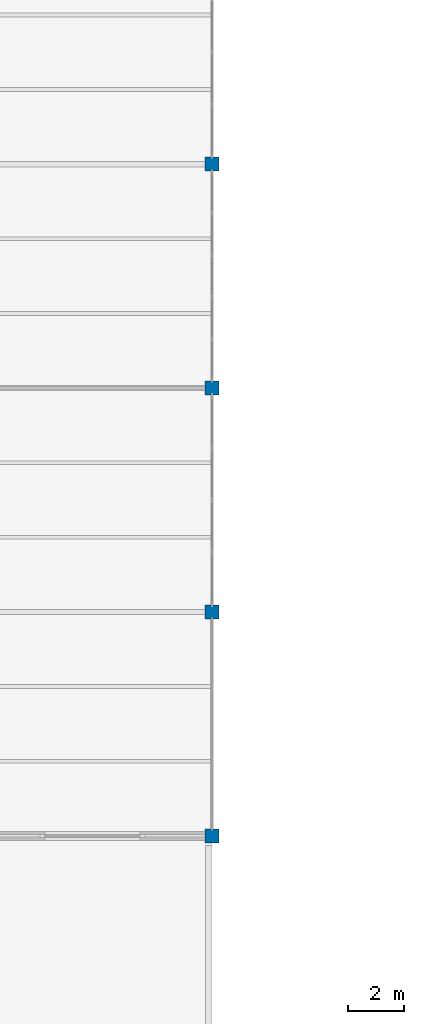
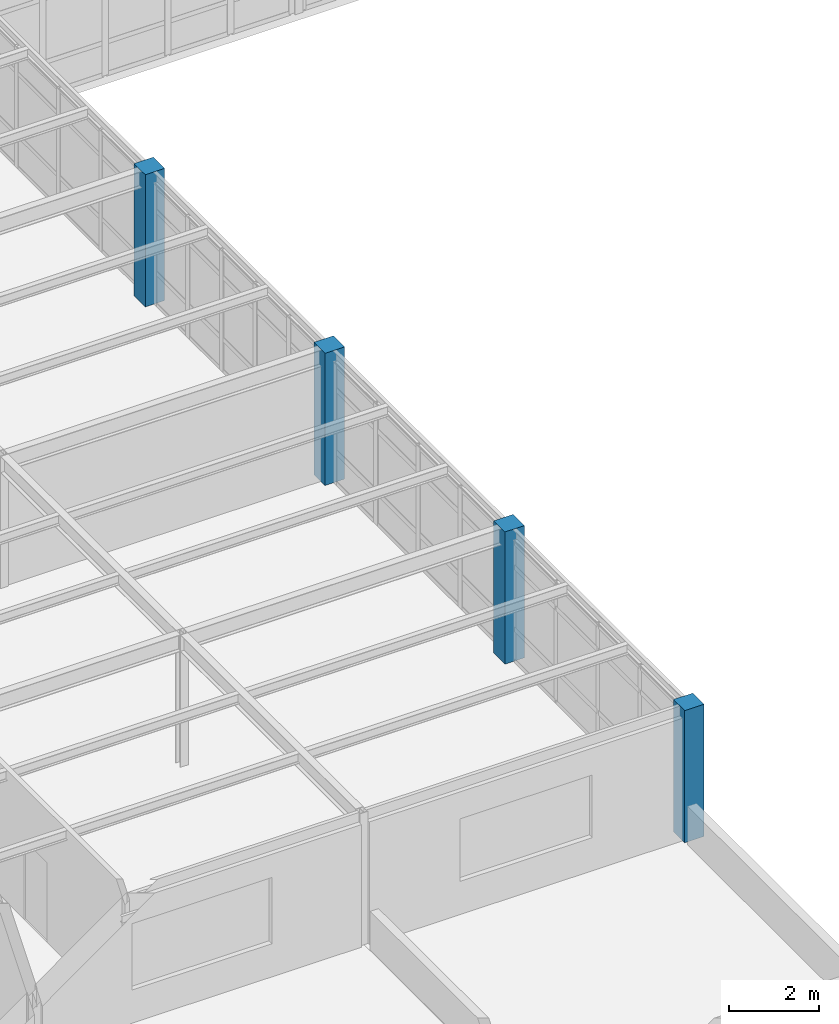
# One storey, part 3 of 32: 4 columns.
"""IFC4 building model written with IfcOpenShell, lengths in metres."""

from ifc_helpers import new_model, si_unit, direction, frame, origin, origin_2d, place, context, subcontext, project, spatial, rectangle, extrude, material, material_profile, profile_set, type_object, element, save


model = new_model("IFC4")

# Units and contexts
model_context = context("Model", 3, precision=1e-05, world=origin(), true_north=direction((0.0, 1.0)))
body_context = subcontext(model_context, "Body", "Model", "MODEL_VIEW")
ifc_project = project(units=[si_unit("LENGTHUNIT", "METRE"), si_unit("AREAUNIT", "SQUARE_METRE"), si_unit("VOLUMEUNIT", "CUBIC_METRE"), si_unit("PLANEANGLEUNIT", "RADIAN"), si_unit("MASSUNIT", "GRAM", prefix="KILO")], contexts=[model_context])

# Site, building, storey
site_placement = place(None, origin())
site = spatial("IfcSite", under=ifc_project, at=site_placement, CompositionType="ELEMENT")
building_placement = place(site_placement, origin())
building = spatial("IfcBuilding", under=site, at=building_placement, Name="Kranzveld Transit Interchange", CompositionType="ELEMENT")
storey_placement = place(building_placement, frame((0.0, 0.0, 17.199951171875)))
storey = spatial("IfcBuildingStorey", under=building, at=storey_placement, Name="L04", CompositionType="ELEMENT", Elevation=17.199951171875)

# Columns
ifc_material = material(Name="Concrete C35/45", Category="concrete")
ifc_material_profile = material_profile(ifc_material, rectangle(XDim=0.5, YDim=0.5, at=origin_2d()), Name="RC 500x500")
ifc_profile_set = profile_set([ifc_material_profile], Name="Concrete C35/45")
column_type = type_object("IfcColumnType", Name="Column RC 500x500 C35/45", PredefinedType="COLUMN", material=ifc_profile_set)
for number, where, z_axis, x_axis, name in (
    (1, (33.60009765625, 56.0, 0.0), (0.0, 0.0, 1.0), (1.0, 0.0, 0.0), "L04 Column 05/H"),
    (2, (33.60009765625, 64.0, 0.0), (0.0, 0.0, 1.0), (1.0, 0.0, 0.0), "L04 Column 05/J"),
    (3, (33.60009765625, 72.0, 0.0), (0.0, 0.0, 1.0), (1.0, 0.0, 0.0), "L04 Column 05/K"),
    (4, (33.60009765625, 80.0, 0.0), (0.0, 0.0, 1.0), (1.0, 0.0, 0.0), "L04 Column 05/L"),
):
    element("IfcColumn", number, at=place(storey_placement, frame(where, z_axis=z_axis, x_axis=x_axis)), inside=storey, type_object=column_type, Name=name, PredefinedType="COLUMN", context=body_context, shape_type="SweptSolid", body=[
        extrude(rectangle(XDim=0.5, YDim=0.5, at=origin_2d()), origin(), (0.0, 0.0, 1.0), 3.590087890625),
    ])

save(model, "model.ifc")
